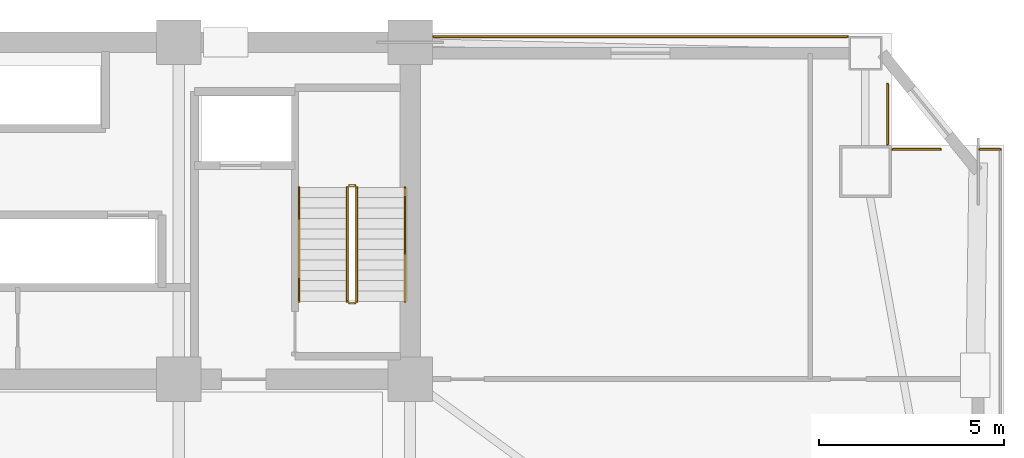
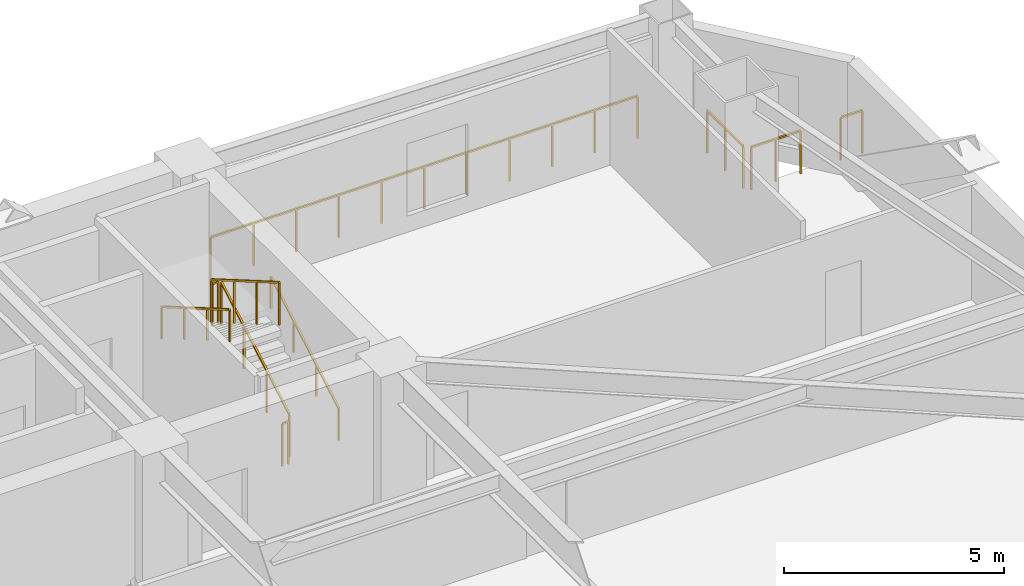
# One storey, part 15 of 15: 10 railings.
"""IFC4 building model written with IfcOpenShell, lengths in metres."""

from ifc_helpers import new_model, si_unit, direction, frame, origin, origin_2d, place, context, subcontext, project, spatial, rectangle, extrude, material, type_object, element, save


model = new_model("IFC4")

# Units and contexts
model_context = context("Model", 3, precision=1e-05, world=origin(), true_north=direction((0.0, 1.0)))
body_context = subcontext(model_context, "Body", "Model", "MODEL_VIEW")
ifc_project = project(units=[si_unit("LENGTHUNIT", "METRE"), si_unit("AREAUNIT", "SQUARE_METRE"), si_unit("VOLUMEUNIT", "CUBIC_METRE"), si_unit("PLANEANGLEUNIT", "RADIAN"), si_unit("MASSUNIT", "GRAM", prefix="KILO")], contexts=[model_context])

# Site, building, storey
site_placement = place(None, origin())
site = spatial("IfcSite", under=ifc_project, at=site_placement, CompositionType="ELEMENT")
building_placement = place(site_placement, origin())
building = spatial("IfcBuilding", under=site, at=building_placement, Name="Giltprow Tower", CompositionType="ELEMENT")
storey_placement = place(building_placement, frame((0.0, 0.0, 99.699951171875)))
storey = spatial("IfcBuildingStorey", under=building, at=storey_placement, Name="L24", CompositionType="ELEMENT", Elevation=99.699951171875)

# Railings
ifc_material = material(Name="Anodized bronze", Category="metal")
railing_type_1 = type_object("IfcRailingType", Name="RAIL-BALC-GUARD-1200", PredefinedType="BALUSTRADE", material=ifc_material)
railing_1_placement = place(storey_placement, frame((51.18505859375, 46.698974609375, 0.0)))
element("IfcRailing", 1, at=railing_1_placement, inside=storey, type_object=railing_type_1, Name="L24 Corner Apron Edge Balustrade 10", PredefinedType="BALUSTRADE", context=body_context, shape_type="SweptSolid", body=[
    extrude(rectangle(XDim=0.048095703125, YDim=0.048095703125, at=origin_2d()), frame((0.0, 0.0, 1.17578125), z_axis=(1.0, 0.0, 0.0), x_axis=(0.0, 1.0, 0.0)), (0.0, 0.0, 1.0), 11.177978515625),
    extrude(rectangle(XDim=0.0419921875, YDim=0.0419921875, at=origin_2d()), origin(), (0.0, 0.0, 1.0), 1.15185546875),
    extrude(rectangle(XDim=0.0419921875, YDim=0.0419921875, at=origin_2d()), frame((1.11767578125, 0.0, 0.0)), (0.0, 0.0, 1.0), 1.15185546875),
    extrude(rectangle(XDim=0.0419921875, YDim=0.0419921875, at=origin_2d()), frame((2.235595703125, 0.0, 0.0)), (0.0, 0.0, 1.0), 1.15185546875),
    extrude(rectangle(XDim=0.0419921875, YDim=0.0419921875, at=origin_2d()), frame((3.353515625, 0.0, 0.0)), (0.0, 0.0, 1.0), 1.15185546875),
    extrude(rectangle(XDim=0.0419921875, YDim=0.0419921875, at=origin_2d()), frame((4.47119140625, 0.0, 0.0)), (0.0, 0.0, 1.0), 1.15185546875),
    extrude(rectangle(XDim=0.0419921875, YDim=0.0419921875, at=origin_2d()), frame((5.5888671875, 0.0, 0.0)), (0.0, 0.0, 1.0), 1.15185546875),
    extrude(rectangle(XDim=0.0419921875, YDim=0.0419921875, at=origin_2d()), frame((6.706787109375, 0.0, 0.0)), (0.0, 0.0, 1.0), 1.15185546875),
    extrude(rectangle(XDim=0.0419921875, YDim=0.0419921875, at=origin_2d()), frame((7.824462890625, 0.0, 0.0)), (0.0, 0.0, 1.0), 1.15185546875),
    extrude(rectangle(XDim=0.0419921875, YDim=0.0419921875, at=origin_2d()), frame((8.9423828125, 0.0, 0.0)), (0.0, 0.0, 1.0), 1.15185546875),
    extrude(rectangle(XDim=0.0419921875, YDim=0.0419921875, at=origin_2d()), frame((10.06005859375, 0.0, 0.0)), (0.0, 0.0, 1.0), 1.15185546875),
    extrude(rectangle(XDim=0.0419921875, YDim=0.0419921875, at=origin_2d()), frame((11.177978515625, 0.0, 0.0)), (0.0, 0.0, 1.0), 1.15185546875),
])
railing_2_placement = place(storey_placement, frame((63.447998046875, 45.4150390625, 0.0)))
element("IfcRailing", 2, at=railing_2_placement, inside=storey, type_object=railing_type_1, Name="L24 Corner Apron Edge Balustrade 11", PredefinedType="BALUSTRADE", context=body_context, shape_type="SweptSolid", body=[
    extrude(rectangle(XDim=0.048095703125, YDim=0.048095703125, at=origin_2d()), frame((0.0, 0.0, 1.17578125), z_axis=(0.0, -1.0, 0.0), x_axis=(1.0, 0.0, 0.0)), (0.0, 0.0, 1.0), 1.6240234375),
    extrude(rectangle(XDim=0.0419921875, YDim=0.0419921875, at=origin_2d()), origin(), (0.0, 0.0, 1.0), 1.15185546875),
    extrude(rectangle(XDim=0.0419921875, YDim=0.0419921875, at=origin_2d()), frame((0.0, -0.81201171875, 0.0)), (0.0, 0.0, 1.0), 1.15185546875),
    extrude(rectangle(XDim=0.0419921875, YDim=0.0419921875, at=origin_2d()), frame((0.0, -1.6240234375, 0.0)), (0.0, 0.0, 1.0), 1.15185546875),
])
railing_3_placement = place(storey_placement, frame((63.5830078125, 43.656005859375, 0.0)))
element("IfcRailing", 3, at=railing_3_placement, inside=storey, type_object=railing_type_1, Name="L24 Corner Apron Edge Balustrade 12", PredefinedType="BALUSTRADE", context=body_context, shape_type="SweptSolid", body=[
    extrude(rectangle(XDim=0.048095703125, YDim=0.048095703125, at=origin_2d()), frame((0.0, 0.0, 1.17578125), z_axis=(1.0, 0.0, 0.0), x_axis=(0.0, 1.0, 0.0)), (0.0, 0.0, 1.0), 1.29296875),
    extrude(rectangle(XDim=0.0419921875, YDim=0.0419921875, at=origin_2d()), origin(), (0.0, 0.0, 1.0), 1.15185546875),
    extrude(rectangle(XDim=0.0419921875, YDim=0.0419921875, at=origin_2d()), frame((0.646484375, 0.0, 0.0)), (0.0, 0.0, 1.0), 1.15185546875),
    extrude(rectangle(XDim=0.0419921875, YDim=0.0419921875, at=origin_2d()), frame((1.29296875, 0.0, 0.0)), (0.0, 0.0, 1.0), 1.15185546875),
])
railing_4_placement = place(storey_placement, frame((65.931884765625, 43.656005859375, 0.0)))
element("IfcRailing", 4, at=railing_4_placement, inside=storey, type_object=railing_type_1, Name="L24 Corner Apron Edge Balustrade 13", PredefinedType="BALUSTRADE", context=body_context, shape_type="SweptSolid", body=[
    extrude(rectangle(XDim=0.048095703125, YDim=0.048095703125, at=origin_2d()), frame((0.0, 0.0, 1.17578125), z_axis=(1.0, 0.0, 0.0), x_axis=(0.0, 1.0, 0.0)), (0.0, 0.0, 1.0), 0.55908203125),
    extrude(rectangle(XDim=0.0419921875, YDim=0.0419921875, at=origin_2d()), origin(), (0.0, 0.0, 1.0), 1.15185546875),
    extrude(rectangle(XDim=0.0419921875, YDim=0.0419921875, at=origin_2d()), frame((0.55908203125, 0.0, 0.0)), (0.0, 0.0, 1.0), 1.15185546875),
])
railing_type_2 = type_object("IfcRailingType", Name="RAIL-STAIR-GUARD-1200", PredefinedType="GUARDRAIL", material=ifc_material)
railing_5_placement = place(storey_placement, frame((49.110107421875, 39.550048828125, 0.16259765625)))
element("IfcRailing", 5, at=railing_5_placement, inside=storey, type_object=railing_type_2, Name="L24 ST-3 stair guard 1", PredefinedType="GUARDRAIL", context=body_context, shape_type="SweptSolid", body=[
    extrude(rectangle(XDim=0.048095703125, YDim=0.048095703125, at=origin_2d()), frame((0.0, 0.0, 1.17578125), z_axis=(0.0, 0.864903211148, 0.501938676878), x_axis=(-1.0, 0.0, 0.0)), (0.0, 0.0, 1.0), 3.560791015625),
    extrude(rectangle(XDim=0.0419921875, YDim=0.0419921875, at=origin_2d()), origin(), (0.0, 0.0, 1.0), 1.15185546875),
    extrude(rectangle(XDim=0.0419921875, YDim=0.0419921875, at=origin_2d()), frame((0.0, 1.026611328125, 0.595703125)), (0.0, 0.0, 1.0), 1.15185546875),
    extrude(rectangle(XDim=0.0419921875, YDim=0.0419921875, at=origin_2d()), frame((0.0, 2.05322265625, 1.191650390625)), (0.0, 0.0, 1.0), 1.15185546875),
    extrude(rectangle(XDim=0.0419921875, YDim=0.0419921875, at=origin_2d()), frame((0.0, 3.079833984375, 1.787353515625)), (0.0, 0.0, 1.0), 1.15185546875),
])
railing_6_placement = place(storey_placement, frame((49.06005859375, 42.679931640625, 1.949951171875)))
element("IfcRailing", 6, at=railing_6_placement, inside=storey, type_object=railing_type_2, Name="L24 ST-3 stair guard 2", PredefinedType="GUARDRAIL", context=body_context, shape_type="SweptSolid", body=[
    extrude(rectangle(XDim=0.048095703125, YDim=0.048095703125, at=origin_2d()), frame((0.0, 0.0, 1.17578125), z_axis=(-1.0, 0.0, 0.0), x_axis=(0.0, -1.0, 0.0)), (0.0, 0.0, 1.0), 0.16015625),
    extrude(rectangle(XDim=0.0419921875, YDim=0.0419921875, at=origin_2d()), origin(), (0.0, 0.0, 1.0), 1.15185546875),
    extrude(rectangle(XDim=0.0419921875, YDim=0.0419921875, at=origin_2d()), frame((-0.16015625, 0.0, 0.0)), (0.0, 0.0, 1.0), 1.15185546875),
])
railing_7_placement = place(storey_placement, frame((48.85009765625, 42.6298828125, 2.112548828125)))
element("IfcRailing", 7, at=railing_7_placement, inside=storey, type_object=railing_type_2, Name="L24 ST-3 stair guard 3", PredefinedType="GUARDRAIL", context=body_context, shape_type="SweptSolid", body=[
    extrude(rectangle(XDim=0.048095703125, YDim=0.048095703125, at=origin_2d()), frame((0.0, 0.0, 1.17578125), z_axis=(0.0, -0.864873446163, 0.501989962173), x_axis=(1.0, 0.0, 0.0)), (0.0, 0.0, 1.0), 3.56103515625),
    extrude(rectangle(XDim=0.0419921875, YDim=0.0419921875, at=origin_2d()), origin(), (0.0, 0.0, 1.0), 1.15185546875),
    extrude(rectangle(XDim=0.0419921875, YDim=0.0419921875, at=origin_2d()), frame((0.0, -1.026611328125, 0.595947265625)), (0.0, 0.0, 1.0), 1.15185546875),
    extrude(rectangle(XDim=0.0419921875, YDim=0.0419921875, at=origin_2d()), frame((0.0, -2.05322265625, 1.191650390625)), (0.0, 0.0, 1.0), 1.15185546875),
    extrude(rectangle(XDim=0.0419921875, YDim=0.0419921875, at=origin_2d()), frame((0.0, -3.079833984375, 1.78759765625)), (0.0, 0.0, 1.0), 1.15185546875),
])
railing_8_placement = place(storey_placement, frame((49.06005859375, 39.5, 0.0)))
element("IfcRailing", 8, at=railing_8_placement, inside=storey, type_object=railing_type_2, Name="L24 ST-3 stair guard 4", PredefinedType="GUARDRAIL", context=body_context, shape_type="SweptSolid", body=[
    extrude(rectangle(XDim=0.048095703125, YDim=0.048095703125, at=origin_2d()), frame((0.0, 0.0, 1.17578125), z_axis=(-1.0, 0.0, 0.0), x_axis=(0.0, -1.0, 0.0)), (0.0, 0.0, 1.0), 0.16015625),
    extrude(rectangle(XDim=0.0419921875, YDim=0.0419921875, at=origin_2d()), origin(), (0.0, 0.0, 1.0), 1.15185546875),
    extrude(rectangle(XDim=0.0419921875, YDim=0.0419921875, at=origin_2d()), frame((-0.16015625, 0.0, 0.0)), (0.0, 0.0, 1.0), 1.15185546875),
])
railing_type_3 = type_object("IfcRailingType", Name="RAIL-STAIR-HAND-900", PredefinedType="HANDRAIL", material=ifc_material)
railing_9_placement = place(storey_placement, frame((50.409912109375, 39.550048828125, 0.16259765625)))
element("IfcRailing", 9, at=railing_9_placement, inside=storey, type_object=railing_type_3, Name="L24 ST-3 stair handrail 1", PredefinedType="HANDRAIL", context=body_context, shape_type="SweptSolid", body=[
    extrude(rectangle(XDim=0.048095703125, YDim=0.048095703125, at=origin_2d()), frame((0.0, 0.0, 0.8759765625), z_axis=(0.0, 0.864903211148, 0.501938676878), x_axis=(-1.0, 0.0, 0.0)), (0.0, 0.0, 1.0), 3.560791015625),
    extrude(rectangle(XDim=0.0419921875, YDim=0.0419921875, at=origin_2d()), origin(), (0.0, 0.0, 1.0), 0.851806640625),
    extrude(rectangle(XDim=0.0419921875, YDim=0.0419921875, at=origin_2d()), frame((0.0, 1.026611328125, 0.595703125)), (0.0, 0.0, 1.0), 0.851806640625),
    extrude(rectangle(XDim=0.0419921875, YDim=0.0419921875, at=origin_2d()), frame((0.0, 2.05322265625, 1.191650390625)), (0.0, 0.0, 1.0), 0.851806640625),
    extrude(rectangle(XDim=0.0419921875, YDim=0.0419921875, at=origin_2d()), frame((0.0, 3.079833984375, 1.787353515625)), (0.0, 0.0, 1.0), 0.851806640625),
])
railing_10_placement = place(storey_placement, frame((47.550048828125, 42.6298828125, 2.112548828125)))
element("IfcRailing", 10, at=railing_10_placement, inside=storey, type_object=railing_type_3, Name="L24 ST-3 stair handrail 2", PredefinedType="HANDRAIL", context=body_context, shape_type="SweptSolid", body=[
    extrude(rectangle(XDim=0.048095703125, YDim=0.048095703125, at=origin_2d()), frame((0.0, 0.0, 0.8759765625), z_axis=(0.0, -0.864873446163, 0.501989962173), x_axis=(1.0, 0.0, 0.0)), (0.0, 0.0, 1.0), 3.56103515625),
    extrude(rectangle(XDim=0.0419921875, YDim=0.0419921875, at=origin_2d()), origin(), (0.0, 0.0, 1.0), 0.851806640625),
    extrude(rectangle(XDim=0.0419921875, YDim=0.0419921875, at=origin_2d()), frame((0.0, -1.026611328125, 0.595947265625)), (0.0, 0.0, 1.0), 0.851806640625),
    extrude(rectangle(XDim=0.0419921875, YDim=0.0419921875, at=origin_2d()), frame((0.0, -2.05322265625, 1.191650390625)), (0.0, 0.0, 1.0), 0.851806640625),
    extrude(rectangle(XDim=0.0419921875, YDim=0.0419921875, at=origin_2d()), frame((0.0, -3.079833984375, 1.78759765625)), (0.0, 0.0, 1.0), 0.851806640625),
])

save(model, "model.ifc")
